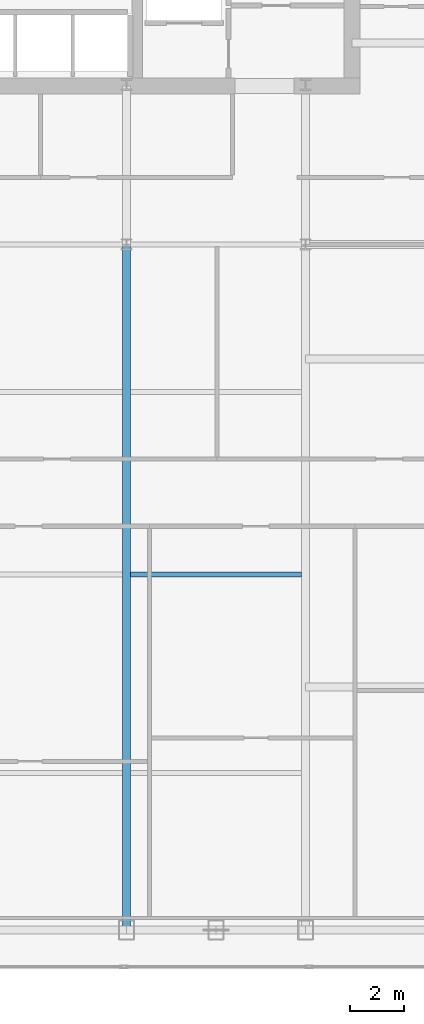
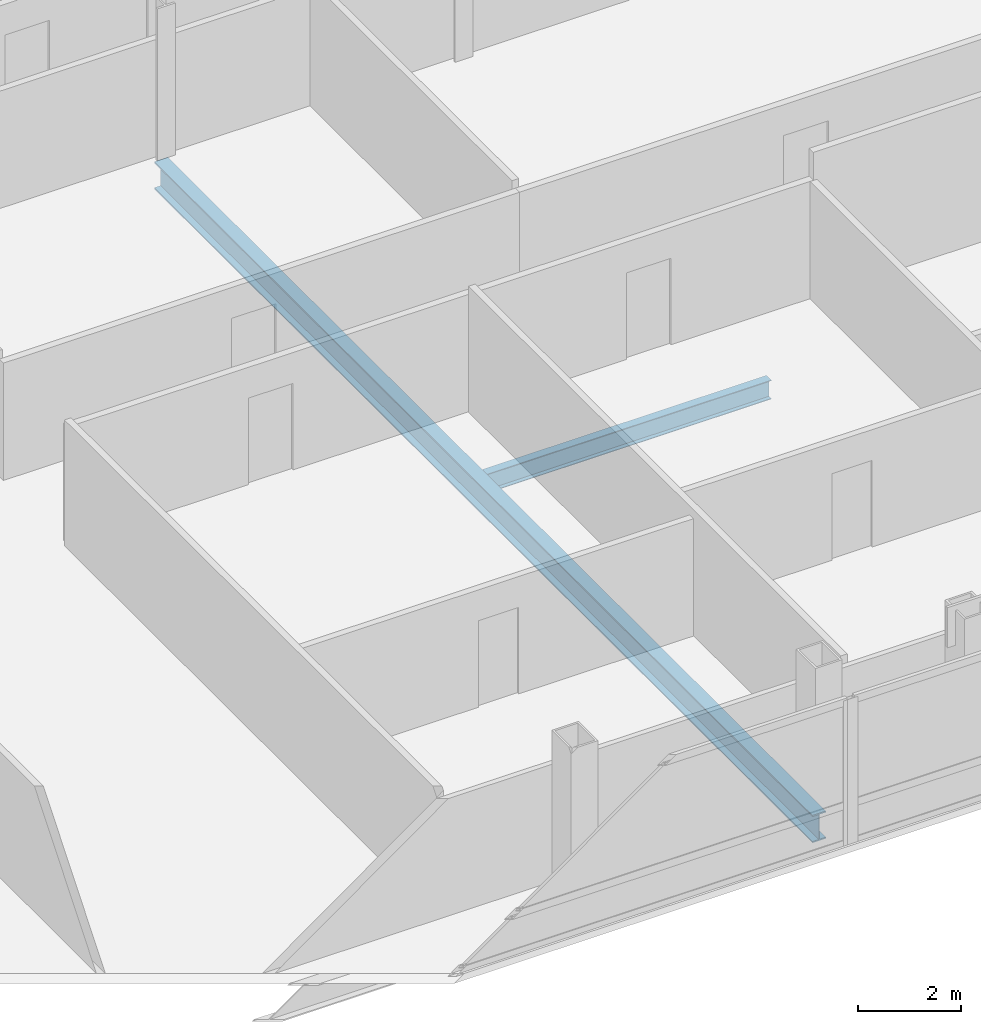
# One storey, part 15 of 32: 2 beams.
"""IFC4 building model written with IfcOpenShell, lengths in metres."""

from ifc_helpers import new_model, si_unit, direction, frame, origin, origin_2d, place, context, subcontext, project, spatial, i_section, extrude, material, material_profile, profile_set, type_object, element, save


model = new_model("IFC4")

# Units and contexts
model_context = context("Model", 3, precision=1e-05, world=origin(), true_north=direction((0.0, 1.0)))
body_context = subcontext(model_context, "Body", "Model", "MODEL_VIEW")
ifc_project = project(units=[si_unit("LENGTHUNIT", "METRE"), si_unit("AREAUNIT", "SQUARE_METRE"), si_unit("VOLUMEUNIT", "CUBIC_METRE"), si_unit("PLANEANGLEUNIT", "RADIAN"), si_unit("MASSUNIT", "GRAM", prefix="KILO")], contexts=[model_context])

# Site, building, storey
site_placement = place(None, origin())
site = spatial("IfcSite", under=ifc_project, at=site_placement, CompositionType="ELEMENT")
building_placement = place(site_placement, origin())
building = spatial("IfcBuilding", under=site, at=building_placement, Name="Khoronbel Lancet Exchange", CompositionType="ELEMENT")
storey_placement = place(building_placement, frame((0.0, 0.0, 228.199951171875)))
storey = spatial("IfcBuildingStorey", under=building, at=storey_placement, Name="L58", CompositionType="ELEMENT", Elevation=228.199951171875)

# Beams
ifc_material = material(Name="Steel S355", Category="steel")
ifc_material_profile_1 = material_profile(ifc_material, i_section(OverallWidth=0.300048828125, OverallDepth=0.64990234375, WebThickness=0.01611328125, FlangeThickness=0.031005859375, at=origin_2d()), Name="HEB 650")
ifc_profile_set_1 = profile_set([ifc_material_profile_1], Name="Steel S355")
beam_type_1 = type_object("IfcBeamType", Name="BM-BG4", PredefinedType="BEAM", material=ifc_profile_set_1)
beam_1_placement = place(storey_placement, frame((48.0, 10.14990234375, -0.48486328125), z_axis=(0.0, 1.0, 0.0), x_axis=(-1.0, 0.0, 0.0)))
element("IfcBeam", 1, at=beam_1_placement, inside=storey, type_object=beam_type_1, Name="Level L58 south primary girder GS5", PredefinedType="BEAM", context=body_context, shape_type="SweptSolid", body=[
    extrude(i_section(OverallWidth=0.300048828125, OverallDepth=0.64990234375, WebThickness=0.01611328125, FlangeThickness=0.031005859375, at=origin_2d()), origin(), (0.0, 0.0, 1.0), 25.550048828125),
])
ifc_material_profile_2 = material_profile(ifc_material, i_section(OverallWidth=0.18994140625, OverallDepth=0.449951171875, WebThickness=0.009521484375, FlangeThickness=0.0146484375, at=origin_2d()), Name="IPE 450")
ifc_profile_set_2 = profile_set([ifc_material_profile_2], Name="Steel S355")
beam_type_2 = type_object("IfcBeamType", Name="BM-BJ4", PredefinedType="JOIST", material=ifc_profile_set_2)
beam_2_placement = place(storey_placement, frame((48.14990234375, 23.39990234375, -0.385009765625), z_axis=(1.0, 0.0, 0.0), x_axis=(0.0, 1.0, 0.0)))
element("IfcBeam", 2, at=beam_2_placement, inside=storey, type_object=beam_type_2, Name="Level L58 secondary composite joist J10", PredefinedType="JOIST", context=body_context, shape_type="SweptSolid", body=[
    extrude(i_section(OverallWidth=0.18994140625, OverallDepth=0.449951171875, WebThickness=0.009521484375, FlangeThickness=0.0146484375, at=origin_2d()), origin(), (0.0, 0.0, 1.0), 6.375),
])

save(model, "model.ifc")
